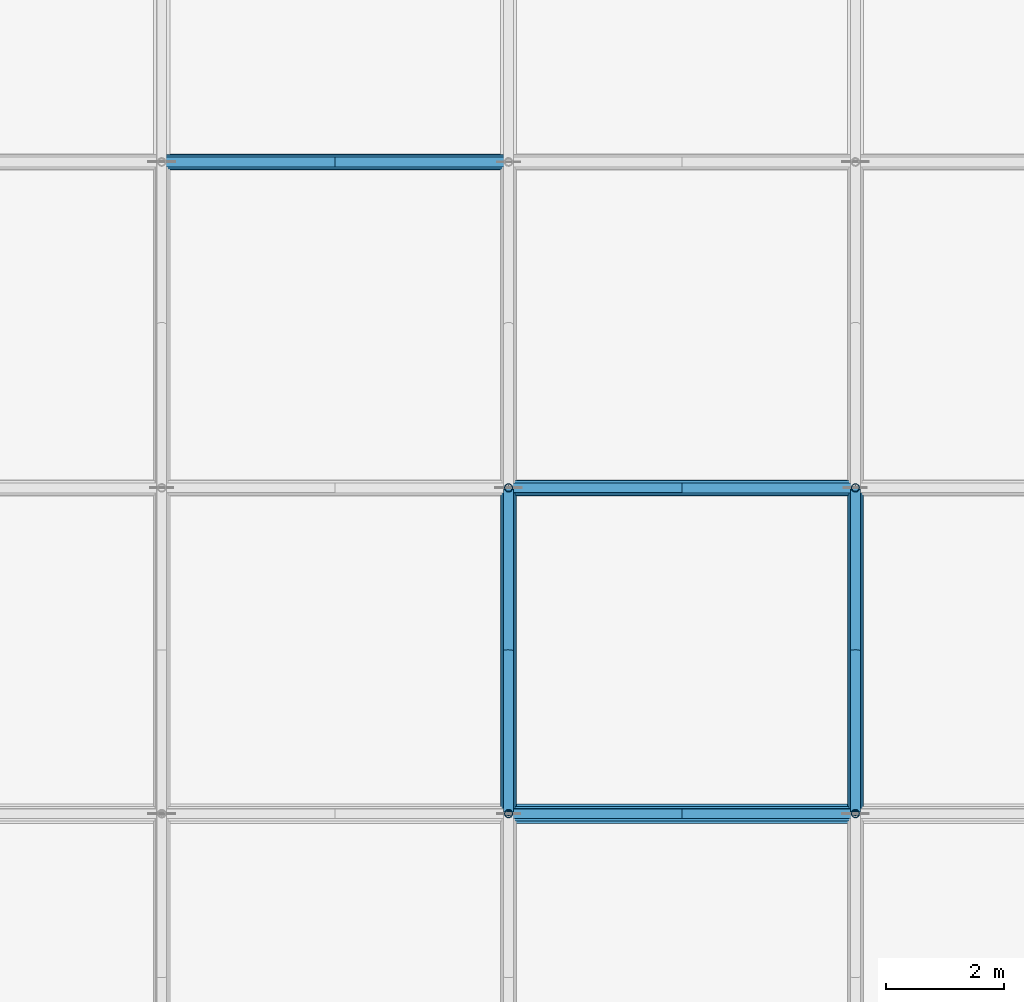
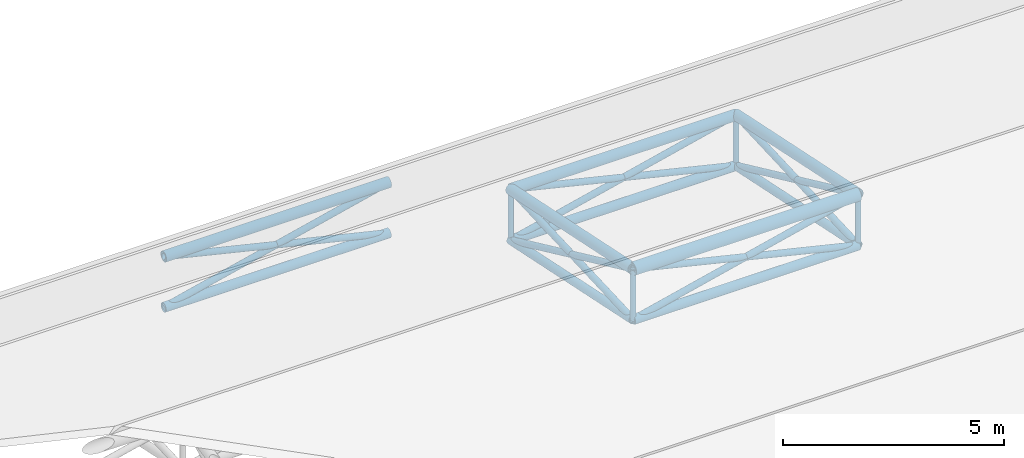
# One storey, part 11 of 82: 24 members.
"""IFC4 building model written with IfcOpenShell, lengths in metres."""

from ifc_helpers import new_model, si_unit, direction, frame, origin, origin_2d, place, context, subcontext, project, spatial, hollow_circle, extrude, material, material_profile, profile_set, type_object, element, save


model = new_model("IFC4")

# Units and contexts
model_context = context("Model", 3, precision=1e-05, world=origin(), true_north=direction((0.0, 1.0)))
body_context = subcontext(model_context, "Body", "Model", "MODEL_VIEW")
ifc_project = project(units=[si_unit("LENGTHUNIT", "METRE"), si_unit("AREAUNIT", "SQUARE_METRE"), si_unit("VOLUMEUNIT", "CUBIC_METRE"), si_unit("PLANEANGLEUNIT", "RADIAN"), si_unit("MASSUNIT", "GRAM", prefix="KILO")], contexts=[model_context])

# Site, building, storey
site_placement = place(None, origin())
site = spatial("IfcSite", under=ifc_project, at=site_placement, CompositionType="ELEMENT")
building_placement = place(site_placement, origin())
building = spatial("IfcBuilding", under=site, at=building_placement, Name="Bramfleet General Hospital", CompositionType="ELEMENT")
storey_placement = place(building_placement, frame((0.0, 0.0, 34.199951171875)))
storey = spatial("IfcBuildingStorey", under=building, at=storey_placement, Name="Roof", CompositionType="ELEMENT", Elevation=34.199951171875)

# Members
ifc_material = material(Name="Steel S355", Category="steel")
ifc_material_profile_1 = material_profile(ifc_material, hollow_circle(Radius=0.122314453125, WallThickness=0.012451171875, at=origin_2d()), Name="CHS 244.5x12.5")
ifc_profile_set_1 = profile_set([ifc_material_profile_1], Name="Steel S355")
member_type_1 = type_object("IfcMemberType", Name="MEM-SF-BC1", PredefinedType="CHORD", material=ifc_profile_set_1)
for number, where, z_axis, x_axis, name in (
    (1, (68.46435546875, 44.833251953125, -16.550048828125), (1.0, 0.0, 0.0), (0.0, 1.0, 0.0), "Space Frame Bottom Chord X 3-5"),
    (2, (74.335693359375, 33.800048828125, -12.25), (1.0, 0.0, 0.0), (0.0, 1.0, 0.0), "Space Frame Bottom Chord X 4-3"),
    (3, (74.335693359375, 39.316650390625, -13.402099609375), (1.0, 0.0, 0.0), (0.0, 1.0, 0.0), "Space Frame Bottom Chord X 4-4"),
):
    element("IfcMember", number, at=place(storey_placement, frame(where, z_axis=z_axis, x_axis=x_axis)), inside=storey, type_object=member_type_1, Name=name, PredefinedType="CHORD", context=body_context, shape_type="SweptSolid", body=[
        extrude(hollow_circle(Radius=0.122314453125, WallThickness=0.012451171875, at=origin_2d()), origin(), (0.0, 0.0, 1.0), 5.871337890625),
    ])
ifc_material_profile_2 = material_profile(ifc_material, hollow_circle(Radius=0.109619140625, WallThickness=0.010009765625, at=origin_2d()), Name="CHS 219.1x10.0")
ifc_profile_set_2 = profile_set([ifc_material_profile_2], Name="Steel S355")
member_type_2 = type_object("IfcMemberType", Name="MEM-SF-BC2", PredefinedType="CHORD", material=ifc_profile_set_2)
for number, where, z_axis, x_axis, name in (
    (4, (74.335693359375, 33.800048828125, -12.25), (0.0, 0.978880830839, -0.204431697678), (-1.0, 0.0, 0.0), "Space Frame Bottom Chord Y 4-3"),
    (5, (80.20703125, 33.800048828125, -12.25), (0.0, 0.978880830839, -0.204431697678), (-1.0, 0.0, 0.0), "Space Frame Bottom Chord Y 5-3"),
):
    element("IfcMember", number, at=place(storey_placement, frame(where, z_axis=z_axis, x_axis=x_axis)), inside=storey, type_object=member_type_2, Name=name, PredefinedType="CHORD", context=body_context, shape_type="SweptSolid", body=[
        extrude(hollow_circle(Radius=0.109619140625, WallThickness=0.010009765625, at=origin_2d()), origin(), (0.0, 0.0, 1.0), 5.6357421875),
    ])
ifc_material_profile_3 = material_profile(ifc_material, hollow_circle(Radius=0.084228515625, WallThickness=0.008056640625, at=origin_2d()), Name="CHS 168.3x8.0")
ifc_profile_set_3 = profile_set([ifc_material_profile_3], Name="Steel S355")
member_type_3 = type_object("IfcMemberType", Name="MEM-SF-DG1", PredefinedType="STRUT", material=ifc_profile_set_3)
for number, where, z_axis, x_axis, name in (
    (6, (68.46435546875, 44.833251953125, -16.550048828125), (0.97272369554, 0.0, 0.231966834127), (0.0, 1.0, 0.0), "Space Frame Web Strut 3-5-E"),
    (7, (74.335693359375, 33.800048828125, -12.25), (0.97272369554, 0.0, 0.231966834127), (0.0, 1.0, 0.0), "Space Frame Web Strut 4-3-E"),
):
    element("IfcMember", number, at=place(storey_placement, frame(where, z_axis=z_axis, x_axis=x_axis)), inside=storey, type_object=member_type_3, Name=name, PredefinedType="STRUT", context=body_context, shape_type="SweptSolid", body=[
        extrude(hollow_circle(Radius=0.084228515625, WallThickness=0.008056640625, at=origin_2d()), origin(), (0.0, 0.0, 1.0), 6.035888671875),
    ])
member_1_placement = place(storey_placement, frame((74.335693359375, 33.800048828125, -12.25), z_axis=(0.0, 0.998992645483, 0.044874204955), x_axis=(-1.0, 0.0, 0.0)))
element("IfcMember", 8, at=member_1_placement, inside=storey, type_object=member_type_3, Name="Space Frame Web Strut 4-3-N", PredefinedType="STRUT", context=body_context, shape_type="SweptSolid", body=[
    extrude(hollow_circle(Radius=0.084228515625, WallThickness=0.008056640625, at=origin_2d()), origin(), (0.0, 0.0, 1.0), 5.522216796875),
])
member_2_placement = place(storey_placement, frame((74.335693359375, 39.316650390625, -13.402099609375), z_axis=(0.972732821449, 0.0, 0.231928562443), x_axis=(0.0, 1.0, 0.0)))
element("IfcMember", 9, at=member_2_placement, inside=storey, type_object=member_type_3, Name="Space Frame Web Strut 4-4-E", PredefinedType="STRUT", context=body_context, shape_type="SweptSolid", body=[
    extrude(hollow_circle(Radius=0.084228515625, WallThickness=0.008056640625, at=origin_2d()), origin(), (0.0, 0.0, 1.0), 6.035888671875),
])
member_3_placement = place(storey_placement, frame((74.335693359375, 39.316650390625, -13.402099609375), z_axis=(0.0, -0.907575768803, 0.419888346923), x_axis=(1.0, 0.0, 0.0)))
element("IfcMember", 10, at=member_3_placement, inside=storey, type_object=member_type_3, Name="Space Frame Web Strut 4-4-S", PredefinedType="STRUT", context=body_context, shape_type="SweptSolid", body=[
    extrude(hollow_circle(Radius=0.084228515625, WallThickness=0.008056640625, at=origin_2d()), origin(), (0.0, 0.0, 1.0), 6.078369140625),
])
for number, where, z_axis, x_axis, name in (
    (11, (74.335693359375, 44.833251953125, -16.550048828125), (-0.97272369554, 0.0, 0.231966834127), (0.0, -1.0, 0.0), "Space Frame Web Strut 4-5-W"),
    (12, (80.20703125, 33.800048828125, -12.25), (-0.97272369554, 0.0, 0.231966834127), (0.0, -1.0, 0.0), "Space Frame Web Strut 5-3-W"),
):
    element("IfcMember", number, at=place(storey_placement, frame(where, z_axis=z_axis, x_axis=x_axis)), inside=storey, type_object=member_type_3, Name=name, PredefinedType="STRUT", context=body_context, shape_type="SweptSolid", body=[
        extrude(hollow_circle(Radius=0.084228515625, WallThickness=0.008056640625, at=origin_2d()), origin(), (0.0, 0.0, 1.0), 6.035888671875),
    ])
member_4_placement = place(storey_placement, frame((80.20703125, 33.800048828125, -12.25), z_axis=(0.0, 0.998992645483, 0.044874204955), x_axis=(-1.0, 0.0, 0.0)))
element("IfcMember", 13, at=member_4_placement, inside=storey, type_object=member_type_3, Name="Space Frame Web Strut 5-3-N", PredefinedType="STRUT", context=body_context, shape_type="SweptSolid", body=[
    extrude(hollow_circle(Radius=0.084228515625, WallThickness=0.008056640625, at=origin_2d()), origin(), (0.0, 0.0, 1.0), 5.522216796875),
])
member_5_placement = place(storey_placement, frame((80.20703125, 39.316650390625, -13.402099609375), z_axis=(-0.972732821449, 0.0, 0.231928562443), x_axis=(0.0, -1.0, 0.0)))
element("IfcMember", 14, at=member_5_placement, inside=storey, type_object=member_type_3, Name="Space Frame Web Strut 5-4-W", PredefinedType="STRUT", context=body_context, shape_type="SweptSolid", body=[
    extrude(hollow_circle(Radius=0.084228515625, WallThickness=0.008056640625, at=origin_2d()), origin(), (0.0, 0.0, 1.0), 6.035888671875),
])
member_6_placement = place(storey_placement, frame((80.20703125, 39.316650390625, -13.402099609375), z_axis=(0.0, -0.907575768803, 0.419888346923), x_axis=(1.0, 0.0, 0.0)))
element("IfcMember", 15, at=member_6_placement, inside=storey, type_object=member_type_3, Name="Space Frame Web Strut 5-4-S", PredefinedType="STRUT", context=body_context, shape_type="SweptSolid", body=[
    extrude(hollow_circle(Radius=0.084228515625, WallThickness=0.008056640625, at=origin_2d()), origin(), (0.0, 0.0, 1.0), 6.078369140625),
])
ifc_material_profile_4 = material_profile(ifc_material, hollow_circle(Radius=0.06982421875, WallThickness=0.008056640625, at=origin_2d()), Name="CHS 139.7x8.0")
ifc_profile_set_4 = profile_set([ifc_material_profile_4], Name="Steel S355")
member_type_4 = type_object("IfcMemberType", Name="MEM-SF-DG2", PredefinedType="STRUT", material=ifc_profile_set_4)
member_7_placement = place(storey_placement, frame((74.335693359375, 33.800048828125, -12.25), z_axis=(0.0, 0.0, 1.0), x_axis=(1.0, 0.0, 0.0)))
element("IfcMember", 16, at=member_7_placement, inside=storey, type_object=member_type_4, Name="Space Frame King Strut 4-3", PredefinedType="STRUT", context=body_context, shape_type="SweptSolid", body=[
    extrude(hollow_circle(Radius=0.06982421875, WallThickness=0.008056640625, at=origin_2d()), origin(), (0.0, 0.0, 1.0), 1.400146484375),
])
member_8_placement = place(storey_placement, frame((74.335693359375, 39.316650390625, -13.402099609375), z_axis=(0.0, 0.0, 1.0), x_axis=(1.0, 0.0, 0.0)))
element("IfcMember", 17, at=member_8_placement, inside=storey, type_object=member_type_4, Name="Space Frame King Strut 4-4", PredefinedType="STRUT", context=body_context, shape_type="SweptSolid", body=[
    extrude(hollow_circle(Radius=0.06982421875, WallThickness=0.008056640625, at=origin_2d()), origin(), (0.0, 0.0, 1.0), 1.39990234375),
])
member_9_placement = place(storey_placement, frame((80.20703125, 33.800048828125, -12.25), z_axis=(0.0, 0.0, 1.0), x_axis=(1.0, 0.0, 0.0)))
element("IfcMember", 18, at=member_9_placement, inside=storey, type_object=member_type_4, Name="Space Frame King Strut 5-3", PredefinedType="STRUT", context=body_context, shape_type="SweptSolid", body=[
    extrude(hollow_circle(Radius=0.06982421875, WallThickness=0.008056640625, at=origin_2d()), origin(), (0.0, 0.0, 1.0), 1.400146484375),
])
member_10_placement = place(storey_placement, frame((80.20703125, 39.316650390625, -13.402099609375), z_axis=(0.0, 0.0, 1.0), x_axis=(1.0, 0.0, 0.0)))
element("IfcMember", 19, at=member_10_placement, inside=storey, type_object=member_type_4, Name="Space Frame King Strut 5-4", PredefinedType="STRUT", context=body_context, shape_type="SweptSolid", body=[
    extrude(hollow_circle(Radius=0.06982421875, WallThickness=0.008056640625, at=origin_2d()), origin(), (0.0, 0.0, 1.0), 1.39990234375),
])
ifc_material_profile_5 = material_profile(ifc_material, hollow_circle(Radius=0.161865234375, WallThickness=0.012451171875, at=origin_2d()), Name="CHS 323.9x12.5")
ifc_profile_set_5 = profile_set([ifc_material_profile_5], Name="Steel S355")
member_type_5 = type_object("IfcMemberType", Name="MEM-SF-TC1", PredefinedType="CHORD", material=ifc_profile_set_5)
member_11_placement = place(storey_placement, frame((74.335693359375, 33.800048828125, -10.849853515625), z_axis=(1.0, 0.0, 0.0), x_axis=(0.0, 1.0, 0.0)))
element("IfcMember", 20, at=member_11_placement, inside=storey, type_object=member_type_5, Name="Space Frame Top Chord X 4-3", PredefinedType="CHORD", context=body_context, shape_type="SweptSolid", body=[
    extrude(hollow_circle(Radius=0.161865234375, WallThickness=0.012451171875, at=origin_2d()), origin(), (0.0, 0.0, 1.0), 5.871337890625),
])
ifc_material_profile_6 = material_profile(ifc_material, hollow_circle(Radius=0.136474609375, WallThickness=0.012451171875, at=origin_2d()), Name="CHS 273.0x12.5")
ifc_profile_set_6 = profile_set([ifc_material_profile_6], Name="Steel S355")
member_type_6 = type_object("IfcMemberType", Name="MEM-SF-TC2", PredefinedType="CHORD", material=ifc_profile_set_6)
for number, where, z_axis, x_axis, name in (
    (21, (68.46435546875, 44.833251953125, -15.14990234375), (1.0, 0.0, 0.0), (0.0, 1.0, 0.0), "Space Frame Top Chord X 3-5"),
    (22, (74.335693359375, 39.316650390625, -12.002197265625), (1.0, 0.0, 0.0), (0.0, 1.0, 0.0), "Space Frame Top Chord X 4-4"),
):
    element("IfcMember", number, at=place(storey_placement, frame(where, z_axis=z_axis, x_axis=x_axis)), inside=storey, type_object=member_type_6, Name=name, PredefinedType="CHORD", context=body_context, shape_type="SweptSolid", body=[
        extrude(hollow_circle(Radius=0.136474609375, WallThickness=0.012451171875, at=origin_2d()), origin(), (0.0, 0.0, 1.0), 5.871337890625),
    ])
for number, where, z_axis, x_axis, name in (
    (23, (74.335693359375, 33.800048828125, -10.849853515625), (0.0, 0.97887216089, -0.204473207621), (-1.0, 0.0, 0.0), "Space Frame Top Chord Y 4-3"),
    (24, (80.20703125, 33.800048828125, -10.849853515625), (0.0, 0.97887216089, -0.204473207621), (-1.0, 0.0, 0.0), "Space Frame Top Chord Y 5-3"),
):
    element("IfcMember", number, at=place(storey_placement, frame(where, z_axis=z_axis, x_axis=x_axis)), inside=storey, type_object=member_type_6, Name=name, PredefinedType="CHORD", context=body_context, shape_type="SweptSolid", body=[
        extrude(hollow_circle(Radius=0.136474609375, WallThickness=0.012451171875, at=origin_2d()), origin(), (0.0, 0.0, 1.0), 5.6357421875),
    ])

save(model, "model.ifc")
